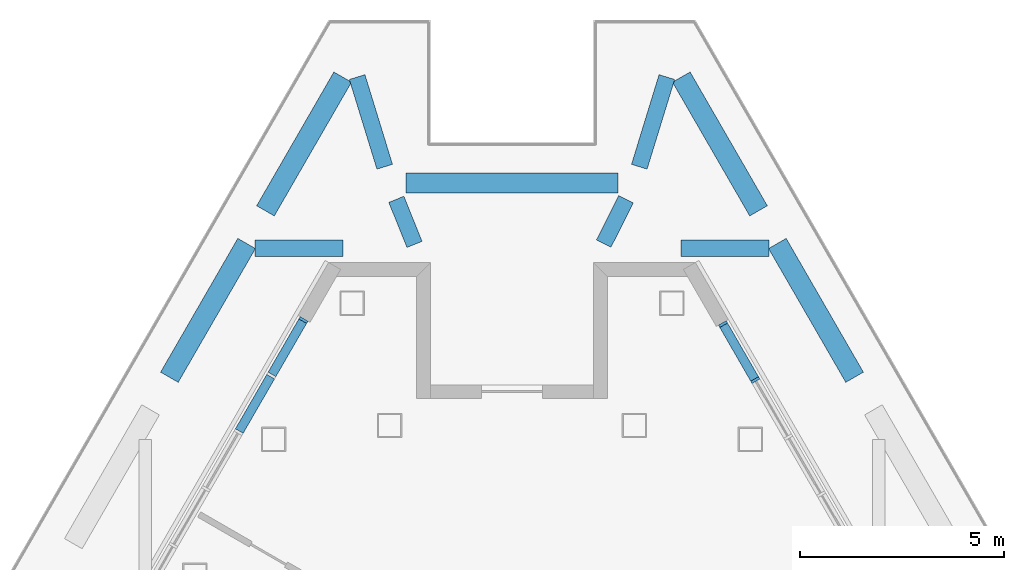
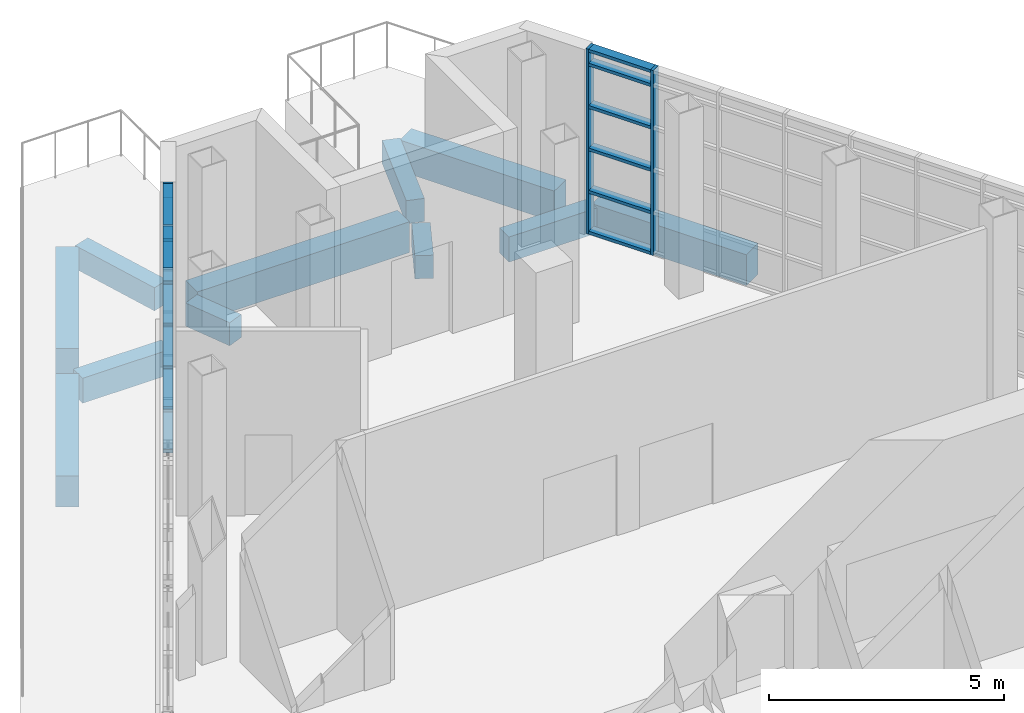
# One storey, part 6 of 15: 21 members, 11 beams, 2 elements without a shape of their own.
"""IFC4 building model written with IfcOpenShell, lengths in metres."""

from ifc_helpers import new_model, si_unit, direction, frame, origin, origin_2d, place, context, subcontext, project, spatial, rectangle, extrude, material, material_profile, profile_set, type_object, element, aggregate, save


model = new_model("IFC4")

# Units and contexts
model_context = context("Model", 3, precision=1e-05, world=origin(), true_north=direction((0.0, 1.0)))
body_context = subcontext(model_context, "Body", "Model", "MODEL_VIEW")
ifc_project = project(units=[si_unit("LENGTHUNIT", "METRE"), si_unit("AREAUNIT", "SQUARE_METRE"), si_unit("VOLUMEUNIT", "CUBIC_METRE"), si_unit("PLANEANGLEUNIT", "RADIAN"), si_unit("MASSUNIT", "GRAM", prefix="KILO")], contexts=[model_context])

# Site, building, storey
site_placement = place(None, origin())
site = spatial("IfcSite", under=ifc_project, at=site_placement, CompositionType="ELEMENT")
building_placement = place(site_placement, origin())
building = spatial("IfcBuilding", under=site, at=building_placement, Name="Fogline Exchange Tower", CompositionType="ELEMENT")
storey_placement = place(building_placement, frame((0.0, 0.0, 344.699951171875)))
storey = spatial("IfcBuildingStorey", under=building, at=storey_placement, Name="L78", CompositionType="ELEMENT", Elevation=344.699951171875)

# Beams
ifc_material_1 = material(Name="Concrete C40", Category="concrete")
ifc_material_profile_1 = material_profile(ifc_material_1, rectangle(XDim=0.5, YDim=0.800048828125, at=origin_2d()), Name="RC 500x800")
ifc_profile_set_1 = profile_set([ifc_material_profile_1], Name="Concrete C40")
beam_type_1 = type_object("IfcBeamType", Name="B10", PredefinedType="BEAM", material=ifc_profile_set_1)
for number, where, z_axis, x_axis, name in (
    (1, (8.406005859375, 32.69091796875, -1.199951171875), (-0.499969613651, 0.86604294664, 0.0), (-0.86604294664, -0.499969613651, 0.0), "RB015"),
    (2, (6.048828125, 36.773681640625, -1.199951171875), (-0.499969613651, 0.86604294664, 0.0), (-0.86604294664, -0.499969613651, 0.0), "RB016"),
):
    element("IfcBeam", number, at=place(storey_placement, frame(where, z_axis=z_axis, x_axis=x_axis)), inside=storey, type_object=beam_type_1, Name=name, PredefinedType="BEAM", context=body_context, shape_type="SweptSolid", body=[
        extrude(rectangle(XDim=0.5, YDim=0.800048828125, at=origin_2d()), origin(), (0.0, 0.0, 1.0), 3.790771484375),
    ])
beam_1_placement = place(storey_placement, frame((2.60009765625, 37.456787109375, -1.199951171875), z_axis=(-1.0, 0.0, 0.0), x_axis=(0.0, -1.0, 0.0)))
element("IfcBeam", 3, at=beam_1_placement, inside=storey, type_object=beam_type_1, Name="RB018", PredefinedType="BEAM", context=body_context, shape_type="SweptSolid", body=[
    extrude(rectangle(XDim=0.5, YDim=0.800048828125, at=origin_2d()), origin(), (0.0, 0.0, 1.0), 5.2001953125),
])
for number, where, z_axis, x_axis, name in (
    (4, (-4.153564453125, 40.056640625, -1.199951171875), (-0.499969613651, -0.86604294664, 0.0), (0.86604294664, -0.499969613651, 0.0), "RB020"),
    (5, (-6.5107421875, 35.973876953125, -1.199951171875), (-0.499969613651, -0.86604294664, 0.0), (0.86604294664, -0.499969613651, 0.0), "RB021"),
):
    element("IfcBeam", number, at=place(storey_placement, frame(where, z_axis=z_axis, x_axis=x_axis)), inside=storey, type_object=beam_type_1, Name=name, PredefinedType="BEAM", context=body_context, shape_type="SweptSolid", body=[
        extrude(rectangle(XDim=0.5, YDim=0.800048828125, at=origin_2d()), origin(), (0.0, 0.0, 1.0), 3.790771484375),
    ])
ifc_material_profile_2 = material_profile(ifc_material_1, rectangle(XDim=0.39990234375, YDim=0.60009765625, at=origin_2d()), Name="RC 400x600")
ifc_profile_set_2 = profile_set([ifc_material_profile_2], Name="Concrete C40")
beam_type_2 = type_object("IfcBeamType", Name="B11", PredefinedType="BEAM", material=ifc_profile_set_2)
for number, where, z_axis, x_axis, name in (
    (6, (3.799560546875, 40.056640625, -1.099853515625), (-0.293929314998, -0.955827158949, 0.0), (0.955827158949, -0.293929314998, 0.0), "RB017"),
    (7, (-3.123046875, 37.856689453125, -1.099853515625), (-0.293929314998, 0.955827158949, 0.0), (-0.955827158949, -0.293929314998, 0.0), "RB019"),
):
    element("IfcBeam", number, at=place(storey_placement, frame(where, z_axis=z_axis, x_axis=x_axis)), inside=storey, type_object=beam_type_2, Name=name, PredefinedType="BEAM", context=body_context, shape_type="SweptSolid", body=[
        extrude(rectangle(XDim=0.39990234375, YDim=0.60009765625, at=origin_2d()), origin(), (0.0, 0.0, 1.0), 2.301513671875),
    ])
beam_2_placement = place(storey_placement, frame((2.798095703125, 37.056640625, -1.099853515625), z_axis=(-0.450898781337, -0.892575088712, 0.0), x_axis=(0.892575088712, -0.450898781337, 0.0)))
element("IfcBeam", 8, at=beam_2_placement, inside=storey, type_object=beam_type_2, Name="SP028", PredefinedType="BEAM", context=body_context, shape_type="SweptSolid", body=[
    extrude(rectangle(XDim=0.39990234375, YDim=0.60009765625, at=origin_2d()), origin(), (0.0, 0.0, 1.0), 1.2177734375),
])
beam_3_placement = place(storey_placement, frame((-2.83837890625, 37.056640625, -1.099853515625), z_axis=(0.37456457389, -0.92720083045, 0.0), x_axis=(0.92720083045, 0.37456457389, 0.0)))
element("IfcBeam", 9, at=beam_3_placement, inside=storey, type_object=beam_type_2, Name="SP029", PredefinedType="BEAM", context=body_context, shape_type="SweptSolid", body=[
    extrude(rectangle(XDim=0.39990234375, YDim=0.60009765625, at=origin_2d()), origin(), (0.0, 0.0, 1.0), 1.19287109375),
])
ifc_material_profile_3 = material_profile(ifc_material_1, rectangle(XDim=0.39990234375, YDim=0.64990234375, at=origin_2d()), Name="RC 400x650")
ifc_profile_set_3 = profile_set([ifc_material_profile_3], Name="Concrete C40")
beam_type_3 = type_object("IfcBeamType", Name="B13", PredefinedType="BEAM", material=ifc_profile_set_3)
for number, where, z_axis, x_axis, name in (
    (10, (-6.308349609375, 35.85693359375, -1.125), (1.0, 0.0, 0.0), (0.0, 1.0, 0.0), "GB007"),
    (11, (4.14990234375, 35.85693359375, -1.125), (1.0, 0.0, 0.0), (0.0, 1.0, 0.0), "GB008"),
):
    element("IfcBeam", number, at=place(storey_placement, frame(where, z_axis=z_axis, x_axis=x_axis)), inside=storey, type_object=beam_type_3, Name=name, PredefinedType="BEAM", context=body_context, shape_type="SweptSolid", body=[
        extrude(rectangle(XDim=0.39990234375, YDim=0.64990234375, at=origin_2d()), origin(), (0.0, 0.0, 1.0), 2.158447265625),
    ])

# Curtain wall, members
ifc_material_2 = material(Name="Aluminium and glass", Category="aluminium")
curtain_wall_type = type_object("IfcCurtainWallType", Name="CW5", PredefinedType="NOTDEFINED", material=ifc_material_2)
curtain_wall_1_placement = place(storey_placement, origin())
curtain_wall_1 = element("IfcCurtainWall", 12, at=curtain_wall_1_placement, inside=storey, type_object=curtain_wall_type, Name="CW5 L78 E run 1", PredefinedType="NOTDEFINED")
ifc_material_3 = material(Name="Aluminium", Category="aluminium")
ifc_material_profile_4 = material_profile(ifc_material_3, rectangle(XDim=0.219970703125, YDim=0.06494140625, at=origin_2d()), Name="Mullion 65x220")
ifc_profile_set_4 = profile_set([ifc_material_profile_4], Name="Aluminium")
member_type_1 = type_object("IfcMemberType", Name="CW5-M", PredefinedType="MULLION", material=ifc_profile_set_4)
member_1_placement = place(storey_placement, frame((5.96923828125, 32.622314453125, 0.0), z_axis=(0.0, 0.0, 1.0), x_axis=(-0.866025427189, -0.499999959462, 0.0)))
member_1 = element("IfcMember", 13, at=member_1_placement, type_object=member_type_1, Name="CW5-T26-01 mullion 16", PredefinedType="MULLION", context=body_context, shape_type="SweptSolid", body=[
    extrude(rectangle(XDim=0.219970703125, YDim=0.06494140625, at=origin_2d()), origin(), (0.0, 0.0, 1.0), 4.800048828125),
])
member_2_placement = place(storey_placement, frame((5.176513671875, 33.995361328125, 0.0), z_axis=(0.0, 0.0, 1.0), x_axis=(-0.866025427189, -0.499999959462, 0.0)))
member_2 = element("IfcMember", 14, at=member_2_placement, type_object=member_type_1, Name="CW5-T26-01 mullion 17", PredefinedType="MULLION", context=body_context, shape_type="SweptSolid", body=[
    extrude(rectangle(XDim=0.219970703125, YDim=0.06494140625, at=origin_2d()), origin(), (0.0, 0.0, 1.0), 4.800048828125),
])

# Curtain wall, member
curtain_wall_2_placement = place(storey_placement, origin())
curtain_wall_2 = element("IfcCurtainWall", 15, at=curtain_wall_2_placement, inside=storey, type_object=curtain_wall_type, Name="CW5 L78 W run 1", PredefinedType="NOTDEFINED")
member_3_placement = place(storey_placement, frame((-5.119140625, 34.094970703125, 0.0), z_axis=(0.0, 0.0, 1.0), x_axis=(0.866025370998, -0.500000056787, 0.0)))
member_3 = element("IfcMember", 16, at=member_3_placement, type_object=member_type_1, Name="CW5-T26-02 mullion 1", PredefinedType="MULLION", context=body_context, shape_type="SweptSolid", body=[
    extrude(rectangle(XDim=0.219970703125, YDim=0.06494140625, at=origin_2d()), origin(), (0.0, 0.0, 1.0), 4.800048828125),
])

# Member
ifc_material_profile_5 = material_profile(ifc_material_3, rectangle(XDim=0.219970703125, YDim=0.080078125, at=origin_2d()), Name="Transom 80x220")
ifc_profile_set_5 = profile_set([ifc_material_profile_5], Name="Aluminium")
member_type_2 = type_object("IfcMemberType", Name="CW5-T", PredefinedType="USERDEFINED", material=ifc_profile_set_5)
member_4_placement = place(storey_placement, frame((5.952880859375, 32.650390625, 0.0400390625), z_axis=(-0.499921709333, 0.866070600204, 0.0), x_axis=(-0.866070600204, -0.499921709333, 0.0)))
member_4 = element("IfcMember", 17, at=member_4_placement, type_object=member_type_2, Name="CW5-T26-01 transom 16.1", ObjectType="TRANSOM", PredefinedType="USERDEFINED", context=body_context, shape_type="SweptSolid", body=[
    extrude(rectangle(XDim=0.219970703125, YDim=0.080078125, at=origin_2d()), origin(), (0.0, 0.0, 1.0), 1.520263671875),
])

member_5_placement = place(storey_placement, frame((5.952880859375, 32.650390625, 1.10009765625), z_axis=(-0.499921709333, 0.866070600204, 0.0), x_axis=(-0.866070600204, -0.499921709333, 0.0)))
member_5 = element("IfcMember", 18, at=member_5_placement, type_object=member_type_2, Name="CW5-T26-01 transom 16.2", ObjectType="TRANSOM", PredefinedType="USERDEFINED", context=body_context, shape_type="SweptSolid", body=[
    extrude(rectangle(XDim=0.219970703125, YDim=0.080078125, at=origin_2d()), origin(), (0.0, 0.0, 1.0), 1.520263671875),
])

member_6_placement = place(storey_placement, frame((5.952880859375, 32.650390625, 2.199951171875), z_axis=(-0.499921709333, 0.866070600204, 0.0), x_axis=(-0.866070600204, -0.499921709333, 0.0)))
member_6 = element("IfcMember", 19, at=member_6_placement, type_object=member_type_2, Name="CW5-T26-01 transom 16.3", ObjectType="TRANSOM", PredefinedType="USERDEFINED", context=body_context, shape_type="SweptSolid", body=[
    extrude(rectangle(XDim=0.219970703125, YDim=0.080078125, at=origin_2d()), origin(), (0.0, 0.0, 1.0), 1.520263671875),
])

member_7_placement = place(storey_placement, frame((5.952880859375, 32.650390625, 3.300048828125), z_axis=(-0.499921709333, 0.866070600204, 0.0), x_axis=(-0.866070600204, -0.499921709333, 0.0)))
member_7 = element("IfcMember", 20, at=member_7_placement, type_object=member_type_2, Name="CW5-T26-01 transom 16.4", ObjectType="TRANSOM", PredefinedType="USERDEFINED", context=body_context, shape_type="SweptSolid", body=[
    extrude(rectangle(XDim=0.219970703125, YDim=0.080078125, at=origin_2d()), origin(), (0.0, 0.0, 1.0), 1.520263671875),
])

member_8_placement = place(storey_placement, frame((5.952880859375, 32.650390625, 4.400146484375), z_axis=(-0.499921709333, 0.866070600204, 0.0), x_axis=(-0.866070600204, -0.499921709333, 0.0)))
member_8 = element("IfcMember", 21, at=member_8_placement, type_object=member_type_2, Name="CW5-T26-01 transom 16.5", ObjectType="TRANSOM", PredefinedType="USERDEFINED", context=body_context, shape_type="SweptSolid", body=[
    extrude(rectangle(XDim=0.219970703125, YDim=0.080078125, at=origin_2d()), origin(), (0.0, 0.0, 1.0), 1.520263671875),
])

member_9_placement = place(storey_placement, frame((5.952880859375, 32.650390625, 4.760009765625), z_axis=(-0.499921709333, 0.866070600204, 0.0), x_axis=(-0.866070600204, -0.499921709333, 0.0)))
member_9 = element("IfcMember", 22, at=member_9_placement, type_object=member_type_2, Name="CW5-T26-01 transom 16.6", ObjectType="TRANSOM", PredefinedType="USERDEFINED", context=body_context, shape_type="SweptSolid", body=[
    extrude(rectangle(XDim=0.219970703125, YDim=0.080078125, at=origin_2d()), origin(), (0.0, 0.0, 1.0), 1.520263671875),
])

aggregate(curtain_wall_1, [member_1, member_2, member_4, member_5, member_6, member_7, member_8, member_9])

member_10_placement = place(storey_placement, frame((-5.13525390625, 34.066650390625, 0.0400390625), z_axis=(-0.500058978211, -0.865991350021, 0.0), x_axis=(0.865991350021, -0.500058978211, 0.0)))
member_10 = element("IfcMember", 23, at=member_10_placement, type_object=member_type_2, Name="CW5-T26-02 transom 1.1", ObjectType="TRANSOM", PredefinedType="USERDEFINED", context=body_context, shape_type="SweptSolid", body=[
    extrude(rectangle(XDim=0.219970703125, YDim=0.080078125, at=origin_2d()), origin(), (0.0, 0.0, 1.0), 1.507080078125),
])

member_11_placement = place(storey_placement, frame((-5.13525390625, 34.066650390625, 1.10009765625), z_axis=(-0.500058978211, -0.865991350021, 0.0), x_axis=(0.865991350021, -0.500058978211, 0.0)))
member_11 = element("IfcMember", 24, at=member_11_placement, type_object=member_type_2, Name="CW5-T26-02 transom 1.2", ObjectType="TRANSOM", PredefinedType="USERDEFINED", context=body_context, shape_type="SweptSolid", body=[
    extrude(rectangle(XDim=0.219970703125, YDim=0.080078125, at=origin_2d()), origin(), (0.0, 0.0, 1.0), 1.507080078125),
])

member_12_placement = place(storey_placement, frame((-5.13525390625, 34.066650390625, 2.199951171875), z_axis=(-0.500058978211, -0.865991350021, 0.0), x_axis=(0.865991350021, -0.500058978211, 0.0)))
member_12 = element("IfcMember", 25, at=member_12_placement, type_object=member_type_2, Name="CW5-T26-02 transom 1.3", ObjectType="TRANSOM", PredefinedType="USERDEFINED", context=body_context, shape_type="SweptSolid", body=[
    extrude(rectangle(XDim=0.219970703125, YDim=0.080078125, at=origin_2d()), origin(), (0.0, 0.0, 1.0), 1.507080078125),
])

member_13_placement = place(storey_placement, frame((-5.13525390625, 34.066650390625, 3.300048828125), z_axis=(-0.500058978211, -0.865991350021, 0.0), x_axis=(0.865991350021, -0.500058978211, 0.0)))
member_13 = element("IfcMember", 26, at=member_13_placement, type_object=member_type_2, Name="CW5-T26-02 transom 1.4", ObjectType="TRANSOM", PredefinedType="USERDEFINED", context=body_context, shape_type="SweptSolid", body=[
    extrude(rectangle(XDim=0.219970703125, YDim=0.080078125, at=origin_2d()), origin(), (0.0, 0.0, 1.0), 1.507080078125),
])

member_14_placement = place(storey_placement, frame((-5.13525390625, 34.066650390625, 4.400146484375), z_axis=(-0.500058978211, -0.865991350021, 0.0), x_axis=(0.865991350021, -0.500058978211, 0.0)))
member_14 = element("IfcMember", 27, at=member_14_placement, type_object=member_type_2, Name="CW5-T26-02 transom 1.5", ObjectType="TRANSOM", PredefinedType="USERDEFINED", context=body_context, shape_type="SweptSolid", body=[
    extrude(rectangle(XDim=0.219970703125, YDim=0.080078125, at=origin_2d()), origin(), (0.0, 0.0, 1.0), 1.507080078125),
])

member_15_placement = place(storey_placement, frame((-5.13525390625, 34.066650390625, 4.760009765625), z_axis=(-0.500058978211, -0.865991350021, 0.0), x_axis=(0.865991350021, -0.500058978211, 0.0)))
member_15 = element("IfcMember", 28, at=member_15_placement, type_object=member_type_2, Name="CW5-T26-02 transom 1.6", ObjectType="TRANSOM", PredefinedType="USERDEFINED", context=body_context, shape_type="SweptSolid", body=[
    extrude(rectangle(XDim=0.219970703125, YDim=0.080078125, at=origin_2d()), origin(), (0.0, 0.0, 1.0), 1.507080078125),
])

member_16_placement = place(storey_placement, frame((-5.92138671875, 32.705078125, 0.0400390625), z_axis=(-0.499942064311, -0.866058850386, 0.0), x_axis=(0.866058850386, -0.499942064311, 0.0)))
member_16 = element("IfcMember", 29, at=member_16_placement, type_object=member_type_2, Name="CW5-T26-02 transom 2.1", ObjectType="TRANSOM", PredefinedType="USERDEFINED", context=body_context, shape_type="SweptSolid", body=[
    extrude(rectangle(XDim=0.219970703125, YDim=0.080078125, at=origin_2d()), origin(), (0.0, 0.0, 1.0), 1.539794921875),
])

member_17_placement = place(storey_placement, frame((-5.92138671875, 32.705078125, 1.10009765625), z_axis=(-0.499942064311, -0.866058850386, 0.0), x_axis=(0.866058850386, -0.499942064311, 0.0)))
member_17 = element("IfcMember", 30, at=member_17_placement, type_object=member_type_2, Name="CW5-T26-02 transom 2.2", ObjectType="TRANSOM", PredefinedType="USERDEFINED", context=body_context, shape_type="SweptSolid", body=[
    extrude(rectangle(XDim=0.219970703125, YDim=0.080078125, at=origin_2d()), origin(), (0.0, 0.0, 1.0), 1.539794921875),
])

member_18_placement = place(storey_placement, frame((-5.92138671875, 32.705078125, 2.199951171875), z_axis=(-0.499942064311, -0.866058850386, 0.0), x_axis=(0.866058850386, -0.499942064311, 0.0)))
member_18 = element("IfcMember", 31, at=member_18_placement, type_object=member_type_2, Name="CW5-T26-02 transom 2.3", ObjectType="TRANSOM", PredefinedType="USERDEFINED", context=body_context, shape_type="SweptSolid", body=[
    extrude(rectangle(XDim=0.219970703125, YDim=0.080078125, at=origin_2d()), origin(), (0.0, 0.0, 1.0), 1.539794921875),
])

member_19_placement = place(storey_placement, frame((-5.92138671875, 32.705078125, 3.300048828125), z_axis=(-0.499942064311, -0.866058850386, 0.0), x_axis=(0.866058850386, -0.499942064311, 0.0)))
member_19 = element("IfcMember", 32, at=member_19_placement, type_object=member_type_2, Name="CW5-T26-02 transom 2.4", ObjectType="TRANSOM", PredefinedType="USERDEFINED", context=body_context, shape_type="SweptSolid", body=[
    extrude(rectangle(XDim=0.219970703125, YDim=0.080078125, at=origin_2d()), origin(), (0.0, 0.0, 1.0), 1.539794921875),
])

member_20_placement = place(storey_placement, frame((-5.92138671875, 32.705078125, 4.400146484375), z_axis=(-0.499942064311, -0.866058850386, 0.0), x_axis=(0.866058850386, -0.499942064311, 0.0)))
member_20 = element("IfcMember", 33, at=member_20_placement, type_object=member_type_2, Name="CW5-T26-02 transom 2.5", ObjectType="TRANSOM", PredefinedType="USERDEFINED", context=body_context, shape_type="SweptSolid", body=[
    extrude(rectangle(XDim=0.219970703125, YDim=0.080078125, at=origin_2d()), origin(), (0.0, 0.0, 1.0), 1.539794921875),
])

member_21_placement = place(storey_placement, frame((-5.92138671875, 32.705078125, 4.760009765625), z_axis=(-0.499942064311, -0.866058850386, 0.0), x_axis=(0.866058850386, -0.499942064311, 0.0)))
member_21 = element("IfcMember", 34, at=member_21_placement, type_object=member_type_2, Name="CW5-T26-02 transom 2.6", ObjectType="TRANSOM", PredefinedType="USERDEFINED", context=body_context, shape_type="SweptSolid", body=[
    extrude(rectangle(XDim=0.219970703125, YDim=0.080078125, at=origin_2d()), origin(), (0.0, 0.0, 1.0), 1.539794921875),
])

aggregate(curtain_wall_2, [member_3, member_10, member_11, member_12, member_13, member_14, member_15, member_16, member_17, member_18, member_19, member_20, member_21])

save(model, "model.ifc")
